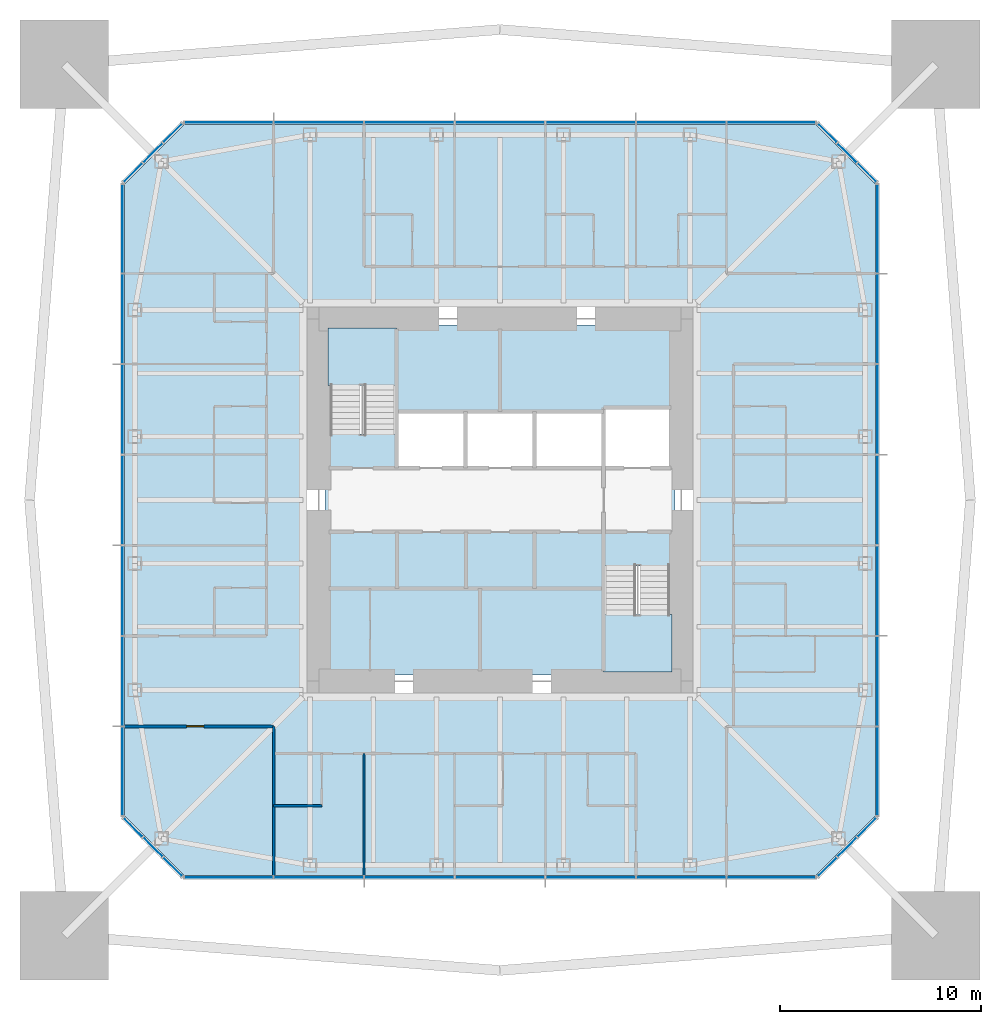
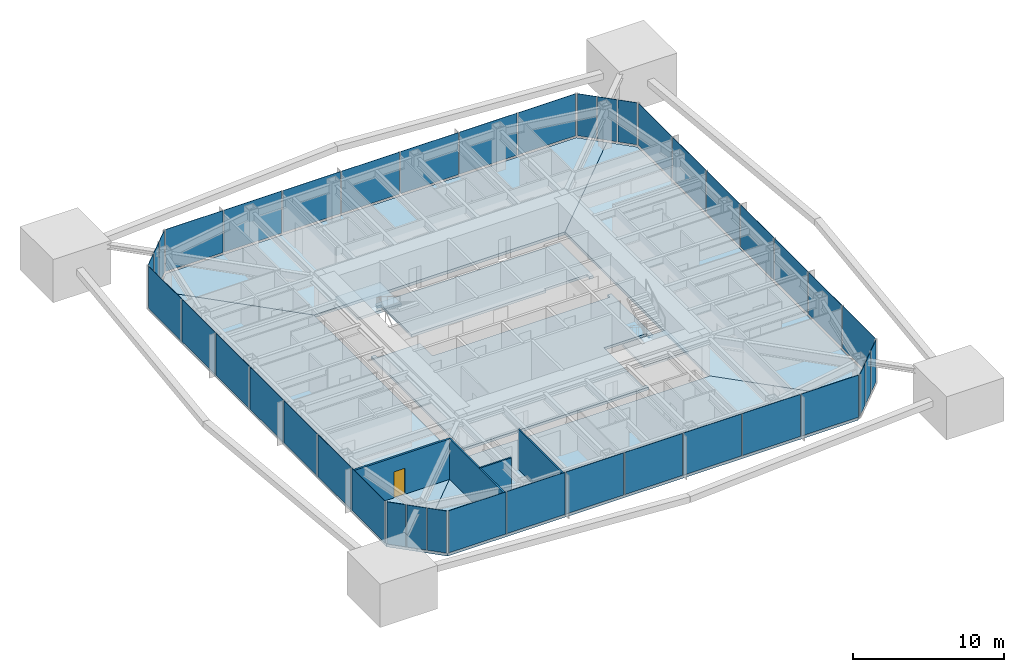
# One storey, part 7 of 13: 40 plates, 8 slabs, 4 walls, 1 door, 1 opening, 10 elements without a shape of their own.
"""IFC4 building model written with IfcOpenShell, lengths in metres."""

from ifc_helpers import new_model, si_unit, direction, frame, frame_2d, origin, origin_2d, place, context, subcontext, project, spatial, polyline, rectangle, outline, extrude, material, layer, layer_set, constituent, constituent_set, type_object, element, fill, aggregate, save


model = new_model("IFC4")

# Units and contexts
model_context = context("Model", 3, precision=1e-05, world=origin(), true_north=direction((0.0, 1.0)))
body_context = subcontext(model_context, "Body", "Model", "MODEL_VIEW")
ifc_project = project(units=[si_unit("LENGTHUNIT", "METRE"), si_unit("AREAUNIT", "SQUARE_METRE"), si_unit("VOLUMEUNIT", "CUBIC_METRE"), si_unit("PLANEANGLEUNIT", "RADIAN"), si_unit("MASSUNIT", "GRAM", prefix="KILO")], contexts=[model_context])

# Site, building, storey
site_placement = place(None, origin())
site = spatial("IfcSite", under=ifc_project, at=site_placement, CompositionType="ELEMENT")
building_placement = place(site_placement, origin())
building = spatial("IfcBuilding", under=site, at=building_placement, Name="Iwan Alto Co-Living Towers", CompositionType="ELEMENT")
storey_placement = place(building_placement, frame((0.0, 0.0, 160.0)))
storey = spatial("IfcBuildingStorey", under=building, at=storey_placement, Name="L43", CompositionType="ELEMENT", Elevation=160.0)

# Slabs
ifc_material_1 = material(Name="Concrete f'c 30 MPa", Category="concrete")
ifc_layer_1 = layer(ifc_material_1, 0.199951171875)
ifc_layer_set_1 = layer_set([ifc_layer_1], Name="CORE FLOOR SLAB 200")
slab_type_1 = type_object("IfcSlabType", Name="CORE FLOOR SLAB 200", PredefinedType="FLOOR", material=ifc_layer_set_1)
slab_1_placement = place(storey_placement, frame((0.0, 0.0, -0.199951171875)))
element("IfcSlab", 1, at=slab_1_placement, inside=storey, type_object=slab_type_1, Name="T1 core floor L43", PredefinedType="FLOOR", context=body_context, shape_type="SweptSolid", body=[
    extrude(outline(polyline([(5.14990234375, -8.39990234375), (5.4599609375, -8.39990234375), (5.4599609375, -8.699951171875), (-8.699951171875, -8.699951171875), (-8.699951171875, 3.580078125), (-8.39990234375, 3.580078125), (-8.39990234375, 3.27001953125), (-5.14990234375, 3.27001953125), (-5.14990234375, 1.60009765625), (-1.717041015625, 1.60009765625), (1.717041015625, 1.60009765625), (5.14990234375, 1.60009765625), (8.39990234375, 1.60009765625), (8.39990234375, 1.909912109375), (8.699951171875, 1.909912109375), (8.699951171875, -3.580078125), (8.39990234375, -3.580078125), (8.39990234375, -3.27001953125), (5.14990234375, -3.27001953125), (5.14990234375, -8.39990234375)])), origin(), (0.0, 0.0, 1.0), 0.199951171875),
])
slab_2_placement = place(storey_placement, frame((0.0, 0.0, -0.199951171875)))
element("IfcSlab", 2, at=slab_2_placement, inside=storey, type_object=slab_type_1, Name="T1 core floor L43", PredefinedType="FLOOR", context=body_context, shape_type="SweptSolid", body=[
    extrude(outline(polyline([(1.717041015625, 4.39990234375), (-1.717041015625, 4.39990234375), (-5.14990234375, 4.39990234375), (-5.14990234375, 8.39990234375), (-5.4599609375, 8.39990234375), (-5.4599609375, 8.699951171875), (8.699951171875, 8.699951171875), (8.699951171875, 4.2900390625), (8.39990234375, 4.2900390625), (8.39990234375, 4.60009765625), (5.14990234375, 4.60009765625), (5.14990234375, 4.39990234375), (1.717041015625, 4.39990234375)])), origin(), (0.0, 0.0, 1.0), 0.199951171875),
])

# Curtain wall, plates
ifc_material_2 = material(Name="Bronze aluminium unitised frame", Category="aluminium")
curtain_wall_type_1 = type_object("IfcCurtainWallType", Name="CURTAIN WALL CW-A", PredefinedType="NOTDEFINED", material=ifc_material_2)
curtain_wall_1_placement = place(storey_placement, origin())
curtain_wall_1 = element("IfcCurtainWall", 3, at=curtain_wall_1_placement, inside=storey, type_object=curtain_wall_type_1, Name="T1 curtain wall S L43", PredefinedType="NOTDEFINED")
ifc_material_3 = material(Name="Bronze-tinted insulating glass", Category="glass")
ifc_layer_2 = layer(ifc_material_3, 0.031982421875)
ifc_layer_set_2 = layer_set([ifc_layer_2], Name="CW-A PANEL TINTED IGU 32")
plate_type_1 = type_object("IfcPlateType", Name="CW-A PANEL TINTED IGU 32", PredefinedType="CURTAIN_PANEL", material=ifc_layer_set_2)
plate_1_placement = place(storey_placement, frame((-13.47998046875, -18.75, 0.10009765625), z_axis=(0.0, 0.0, 1.0), x_axis=(1.0, 0.0, 0.0)))
plate_1 = element("IfcPlate", 4, at=plate_1_placement, type_object=plate_type_1, Name="CW-A panel 1.1", PredefinedType="CURTAIN_PANEL", context=body_context, shape_type="SweptSolid", body=[
    extrude(rectangle(XDim=4.3798828125, YDim=0.031982421875, at=origin_2d()), origin(), (0.0, 0.0, 1.0), 3.39990234375),
])
plate_2_placement = place(storey_placement, frame((-9.0, -18.75, 0.10009765625), z_axis=(0.0, 0.0, 1.0), x_axis=(1.0, 0.0, 0.0)))
plate_2 = element("IfcPlate", 5, at=plate_2_placement, type_object=plate_type_1, Name="CW-A panel 2.1", PredefinedType="CURTAIN_PANEL", context=body_context, shape_type="SweptSolid", body=[
    extrude(rectangle(XDim=4.419921875, YDim=0.031982421875, at=origin_2d()), origin(), (0.0, 0.0, 1.0), 3.39990234375),
])
plate_3_placement = place(storey_placement, frame((-4.5, -18.75, 0.10009765625), z_axis=(0.0, 0.0, 1.0), x_axis=(1.0, 0.0, 0.0)))
plate_3 = element("IfcPlate", 6, at=plate_3_placement, type_object=plate_type_1, Name="CW-A panel 3.1", PredefinedType="CURTAIN_PANEL", context=body_context, shape_type="SweptSolid", body=[
    extrude(rectangle(XDim=4.419921875, YDim=0.031982421875, at=origin_2d()), origin(), (0.0, 0.0, 1.0), 3.39990234375),
])
plate_4_placement = place(storey_placement, frame((0.0, -18.75, 0.10009765625), z_axis=(0.0, 0.0, 1.0), x_axis=(1.0, 0.0, 0.0)))
plate_4 = element("IfcPlate", 7, at=plate_4_placement, type_object=plate_type_1, Name="CW-A panel 4.1", PredefinedType="CURTAIN_PANEL", context=body_context, shape_type="SweptSolid", body=[
    extrude(rectangle(XDim=4.419921875, YDim=0.031982421875, at=origin_2d()), origin(), (0.0, 0.0, 1.0), 3.39990234375),
])
plate_5_placement = place(storey_placement, frame((4.5, -18.75, 0.10009765625), z_axis=(0.0, 0.0, 1.0), x_axis=(1.0, 0.0, 0.0)))
plate_5 = element("IfcPlate", 8, at=plate_5_placement, type_object=plate_type_1, Name="CW-A panel 5.1", PredefinedType="CURTAIN_PANEL", context=body_context, shape_type="SweptSolid", body=[
    extrude(rectangle(XDim=4.419921875, YDim=0.031982421875, at=origin_2d()), origin(), (0.0, 0.0, 1.0), 3.39990234375),
])
plate_6_placement = place(storey_placement, frame((9.0, -18.75, 0.10009765625), z_axis=(0.0, 0.0, 1.0), x_axis=(1.0, 0.0, 0.0)))
plate_6 = element("IfcPlate", 9, at=plate_6_placement, type_object=plate_type_1, Name="CW-A panel 6.1", PredefinedType="CURTAIN_PANEL", context=body_context, shape_type="SweptSolid", body=[
    extrude(rectangle(XDim=4.419921875, YDim=0.031982421875, at=origin_2d()), origin(), (0.0, 0.0, 1.0), 3.39990234375),
])
plate_7_placement = place(storey_placement, frame((13.47998046875, -18.75, 0.10009765625), z_axis=(0.0, 0.0, 1.0), x_axis=(1.0, 0.0, 0.0)))
plate_7 = element("IfcPlate", 10, at=plate_7_placement, type_object=plate_type_1, Name="CW-A panel 7.1", PredefinedType="CURTAIN_PANEL", context=body_context, shape_type="SweptSolid", body=[
    extrude(rectangle(XDim=4.3798828125, YDim=0.031982421875, at=origin_2d()), origin(), (0.0, 0.0, 1.0), 3.39990234375),
])
aggregate(curtain_wall_1, [plate_1, plate_2, plate_3, plate_4, plate_5, plate_6, plate_7])

curtain_wall_2_placement = place(storey_placement, origin())
curtain_wall_2 = element("IfcCurtainWall", 11, at=curtain_wall_2_placement, inside=storey, type_object=curtain_wall_type_1, Name="T1 curtain wall E L43", PredefinedType="NOTDEFINED")
plate_8_placement = place(storey_placement, frame((18.75, -13.47998046875, 0.10009765625), z_axis=(0.0, 0.0, 1.0), x_axis=(0.0, 1.0, 0.0)))
plate_8 = element("IfcPlate", 12, at=plate_8_placement, type_object=plate_type_1, Name="CW-A panel 1.1", PredefinedType="CURTAIN_PANEL", context=body_context, shape_type="SweptSolid", body=[
    extrude(rectangle(XDim=4.3798828125, YDim=0.031982421875, at=origin_2d()), origin(), (0.0, 0.0, 1.0), 3.39990234375),
])
plate_9_placement = place(storey_placement, frame((18.75, -9.0, 0.10009765625), z_axis=(0.0, 0.0, 1.0), x_axis=(0.0, 1.0, 0.0)))
plate_9 = element("IfcPlate", 13, at=plate_9_placement, type_object=plate_type_1, Name="CW-A panel 2.1", PredefinedType="CURTAIN_PANEL", context=body_context, shape_type="SweptSolid", body=[
    extrude(rectangle(XDim=4.419921875, YDim=0.031982421875, at=origin_2d()), origin(), (0.0, 0.0, 1.0), 3.39990234375),
])
plate_10_placement = place(storey_placement, frame((18.75, -4.5, 0.10009765625), z_axis=(0.0, 0.0, 1.0), x_axis=(0.0, 1.0, 0.0)))
plate_10 = element("IfcPlate", 14, at=plate_10_placement, type_object=plate_type_1, Name="CW-A panel 3.1", PredefinedType="CURTAIN_PANEL", context=body_context, shape_type="SweptSolid", body=[
    extrude(rectangle(XDim=4.419921875, YDim=0.031982421875, at=origin_2d()), origin(), (0.0, 0.0, 1.0), 3.39990234375),
])
plate_11_placement = place(storey_placement, frame((18.75, 0.0, 0.10009765625), z_axis=(0.0, 0.0, 1.0), x_axis=(0.0, 1.0, 0.0)))
plate_11 = element("IfcPlate", 15, at=plate_11_placement, type_object=plate_type_1, Name="CW-A panel 4.1", PredefinedType="CURTAIN_PANEL", context=body_context, shape_type="SweptSolid", body=[
    extrude(rectangle(XDim=4.419921875, YDim=0.031982421875, at=origin_2d()), origin(), (0.0, 0.0, 1.0), 3.39990234375),
])
plate_12_placement = place(storey_placement, frame((18.75, 4.5, 0.10009765625), z_axis=(0.0, 0.0, 1.0), x_axis=(0.0, 1.0, 0.0)))
plate_12 = element("IfcPlate", 16, at=plate_12_placement, type_object=plate_type_1, Name="CW-A panel 5.1", PredefinedType="CURTAIN_PANEL", context=body_context, shape_type="SweptSolid", body=[
    extrude(rectangle(XDim=4.419921875, YDim=0.031982421875, at=origin_2d()), origin(), (0.0, 0.0, 1.0), 3.39990234375),
])
plate_13_placement = place(storey_placement, frame((18.75, 9.0, 0.10009765625), z_axis=(0.0, 0.0, 1.0), x_axis=(0.0, 1.0, 0.0)))
plate_13 = element("IfcPlate", 17, at=plate_13_placement, type_object=plate_type_1, Name="CW-A panel 6.1", PredefinedType="CURTAIN_PANEL", context=body_context, shape_type="SweptSolid", body=[
    extrude(rectangle(XDim=4.419921875, YDim=0.031982421875, at=origin_2d()), origin(), (0.0, 0.0, 1.0), 3.39990234375),
])
plate_14_placement = place(storey_placement, frame((18.75, 13.47998046875, 0.10009765625), z_axis=(0.0, 0.0, 1.0), x_axis=(0.0, 1.0, 0.0)))
plate_14 = element("IfcPlate", 18, at=plate_14_placement, type_object=plate_type_1, Name="CW-A panel 7.1", PredefinedType="CURTAIN_PANEL", context=body_context, shape_type="SweptSolid", body=[
    extrude(rectangle(XDim=4.3798828125, YDim=0.031982421875, at=origin_2d()), origin(), (0.0, 0.0, 1.0), 3.39990234375),
])
aggregate(curtain_wall_2, [plate_8, plate_9, plate_10, plate_11, plate_12, plate_13, plate_14])

curtain_wall_3_placement = place(storey_placement, origin())
curtain_wall_3 = element("IfcCurtainWall", 19, at=curtain_wall_3_placement, inside=storey, type_object=curtain_wall_type_1, Name="T1 curtain wall N L43", PredefinedType="NOTDEFINED")
plate_15_placement = place(storey_placement, frame((13.47998046875, 18.75, 0.10009765625), z_axis=(0.0, 0.0, 1.0), x_axis=(-1.0, 0.0, 0.0)))
plate_15 = element("IfcPlate", 20, at=plate_15_placement, type_object=plate_type_1, Name="CW-A panel 1.1", PredefinedType="CURTAIN_PANEL", context=body_context, shape_type="SweptSolid", body=[
    extrude(rectangle(XDim=4.3798828125, YDim=0.031982421875, at=origin_2d()), origin(), (0.0, 0.0, 1.0), 3.39990234375),
])
plate_16_placement = place(storey_placement, frame((9.0, 18.75, 0.10009765625), z_axis=(0.0, 0.0, 1.0), x_axis=(-1.0, 0.0, 0.0)))
plate_16 = element("IfcPlate", 21, at=plate_16_placement, type_object=plate_type_1, Name="CW-A panel 2.1", PredefinedType="CURTAIN_PANEL", context=body_context, shape_type="SweptSolid", body=[
    extrude(rectangle(XDim=4.419921875, YDim=0.031982421875, at=origin_2d()), origin(), (0.0, 0.0, 1.0), 3.39990234375),
])
plate_17_placement = place(storey_placement, frame((4.5, 18.75, 0.10009765625), z_axis=(0.0, 0.0, 1.0), x_axis=(-1.0, 0.0, 0.0)))
plate_17 = element("IfcPlate", 22, at=plate_17_placement, type_object=plate_type_1, Name="CW-A panel 3.1", PredefinedType="CURTAIN_PANEL", context=body_context, shape_type="SweptSolid", body=[
    extrude(rectangle(XDim=4.419921875, YDim=0.031982421875, at=origin_2d()), origin(), (0.0, 0.0, 1.0), 3.39990234375),
])
plate_18_placement = place(storey_placement, frame((0.0, 18.75, 0.10009765625), z_axis=(0.0, 0.0, 1.0), x_axis=(-1.0, 0.0, 0.0)))
plate_18 = element("IfcPlate", 23, at=plate_18_placement, type_object=plate_type_1, Name="CW-A panel 4.1", PredefinedType="CURTAIN_PANEL", context=body_context, shape_type="SweptSolid", body=[
    extrude(rectangle(XDim=4.419921875, YDim=0.031982421875, at=origin_2d()), origin(), (0.0, 0.0, 1.0), 3.39990234375),
])
plate_19_placement = place(storey_placement, frame((-4.5, 18.75, 0.10009765625), z_axis=(0.0, 0.0, 1.0), x_axis=(-1.0, 0.0, 0.0)))
plate_19 = element("IfcPlate", 24, at=plate_19_placement, type_object=plate_type_1, Name="CW-A panel 5.1", PredefinedType="CURTAIN_PANEL", context=body_context, shape_type="SweptSolid", body=[
    extrude(rectangle(XDim=4.419921875, YDim=0.031982421875, at=origin_2d()), origin(), (0.0, 0.0, 1.0), 3.39990234375),
])
plate_20_placement = place(storey_placement, frame((-9.0, 18.75, 0.10009765625), z_axis=(0.0, 0.0, 1.0), x_axis=(-1.0, 0.0, 0.0)))
plate_20 = element("IfcPlate", 25, at=plate_20_placement, type_object=plate_type_1, Name="CW-A panel 6.1", PredefinedType="CURTAIN_PANEL", context=body_context, shape_type="SweptSolid", body=[
    extrude(rectangle(XDim=4.419921875, YDim=0.031982421875, at=origin_2d()), origin(), (0.0, 0.0, 1.0), 3.39990234375),
])
plate_21_placement = place(storey_placement, frame((-13.47998046875, 18.75, 0.10009765625), z_axis=(0.0, 0.0, 1.0), x_axis=(-1.0, 0.0, 0.0)))
plate_21 = element("IfcPlate", 26, at=plate_21_placement, type_object=plate_type_1, Name="CW-A panel 7.1", PredefinedType="CURTAIN_PANEL", context=body_context, shape_type="SweptSolid", body=[
    extrude(rectangle(XDim=4.3798828125, YDim=0.031982421875, at=origin_2d()), origin(), (0.0, 0.0, 1.0), 3.39990234375),
])
aggregate(curtain_wall_3, [plate_15, plate_16, plate_17, plate_18, plate_19, plate_20, plate_21])

curtain_wall_4_placement = place(storey_placement, origin())
curtain_wall_4 = element("IfcCurtainWall", 27, at=curtain_wall_4_placement, inside=storey, type_object=curtain_wall_type_1, Name="T1 curtain wall W L43", PredefinedType="NOTDEFINED")
plate_22_placement = place(storey_placement, frame((-18.75, 13.47998046875, 0.10009765625), z_axis=(0.0, 0.0, 1.0), x_axis=(0.0, -1.0, 0.0)))
plate_22 = element("IfcPlate", 28, at=plate_22_placement, type_object=plate_type_1, Name="CW-A panel 1.1", PredefinedType="CURTAIN_PANEL", context=body_context, shape_type="SweptSolid", body=[
    extrude(rectangle(XDim=4.3798828125, YDim=0.031982421875, at=origin_2d()), origin(), (0.0, 0.0, 1.0), 3.39990234375),
])
plate_23_placement = place(storey_placement, frame((-18.75, 9.0, 0.10009765625), z_axis=(0.0, 0.0, 1.0), x_axis=(0.0, -1.0, 0.0)))
plate_23 = element("IfcPlate", 29, at=plate_23_placement, type_object=plate_type_1, Name="CW-A panel 2.1", PredefinedType="CURTAIN_PANEL", context=body_context, shape_type="SweptSolid", body=[
    extrude(rectangle(XDim=4.419921875, YDim=0.031982421875, at=origin_2d()), origin(), (0.0, 0.0, 1.0), 3.39990234375),
])
plate_24_placement = place(storey_placement, frame((-18.75, 4.5, 0.10009765625), z_axis=(0.0, 0.0, 1.0), x_axis=(0.0, -1.0, 0.0)))
plate_24 = element("IfcPlate", 30, at=plate_24_placement, type_object=plate_type_1, Name="CW-A panel 3.1", PredefinedType="CURTAIN_PANEL", context=body_context, shape_type="SweptSolid", body=[
    extrude(rectangle(XDim=4.419921875, YDim=0.031982421875, at=origin_2d()), origin(), (0.0, 0.0, 1.0), 3.39990234375),
])
plate_25_placement = place(storey_placement, frame((-18.75, 0.0, 0.10009765625), z_axis=(0.0, 0.0, 1.0), x_axis=(0.0, -1.0, 0.0)))
plate_25 = element("IfcPlate", 31, at=plate_25_placement, type_object=plate_type_1, Name="CW-A panel 4.1", PredefinedType="CURTAIN_PANEL", context=body_context, shape_type="SweptSolid", body=[
    extrude(rectangle(XDim=4.419921875, YDim=0.031982421875, at=origin_2d()), origin(), (0.0, 0.0, 1.0), 3.39990234375),
])
plate_26_placement = place(storey_placement, frame((-18.75, -4.5, 0.10009765625), z_axis=(0.0, 0.0, 1.0), x_axis=(0.0, -1.0, 0.0)))
plate_26 = element("IfcPlate", 32, at=plate_26_placement, type_object=plate_type_1, Name="CW-A panel 5.1", PredefinedType="CURTAIN_PANEL", context=body_context, shape_type="SweptSolid", body=[
    extrude(rectangle(XDim=4.419921875, YDim=0.031982421875, at=origin_2d()), origin(), (0.0, 0.0, 1.0), 3.39990234375),
])
plate_27_placement = place(storey_placement, frame((-18.75, -9.0, 0.10009765625), z_axis=(0.0, 0.0, 1.0), x_axis=(0.0, -1.0, 0.0)))
plate_27 = element("IfcPlate", 33, at=plate_27_placement, type_object=plate_type_1, Name="CW-A panel 6.1", PredefinedType="CURTAIN_PANEL", context=body_context, shape_type="SweptSolid", body=[
    extrude(rectangle(XDim=4.419921875, YDim=0.031982421875, at=origin_2d()), origin(), (0.0, 0.0, 1.0), 3.39990234375),
])
plate_28_placement = place(storey_placement, frame((-18.75, -13.47998046875, 0.10009765625), z_axis=(0.0, 0.0, 1.0), x_axis=(0.0, -1.0, 0.0)))
plate_28 = element("IfcPlate", 34, at=plate_28_placement, type_object=plate_type_1, Name="CW-A panel 7.1", PredefinedType="CURTAIN_PANEL", context=body_context, shape_type="SweptSolid", body=[
    extrude(rectangle(XDim=4.3798828125, YDim=0.031982421875, at=origin_2d()), origin(), (0.0, 0.0, 1.0), 3.39990234375),
])
aggregate(curtain_wall_4, [plate_22, plate_23, plate_24, plate_25, plate_26, plate_27, plate_28])

ifc_material_4 = material(Name="Bronze aluminium unitised frame", Category="aluminium")
curtain_wall_type_2 = type_object("IfcCurtainWallType", Name="CURTAIN WALL CW-B", PredefinedType="NOTDEFINED", material=ifc_material_4)
curtain_wall_5_placement = place(storey_placement, origin())
curtain_wall_5 = element("IfcCurtainWall", 35, at=curtain_wall_5_placement, inside=storey, type_object=curtain_wall_type_2, Name="T1 chamfer curtain wall SE L43", PredefinedType="NOTDEFINED")
ifc_material_5 = material(Name="Bronze-tinted insulating glass", Category="glass")
ifc_layer_3 = layer(ifc_material_5, 0.031982421875)
ifc_layer_set_3 = layer_set([ifc_layer_3], Name="CW-B PANEL TINTED IGU 32")
plate_type_2 = type_object("IfcPlateType", Name="CW-B PANEL TINTED IGU 32", PredefinedType="CURTAIN_PANEL", material=ifc_layer_set_3)
plate_29_placement = place(storey_placement, frame((16.26416015625, -18.23583984375, 0.10009765625), z_axis=(0.0, 0.0, 1.0), x_axis=(0.707106781187, 0.707106781187, 0.0)))
plate_29 = element("IfcPlate", 36, at=plate_29_placement, type_object=plate_type_2, Name="CW-B panel 1.1", PredefinedType="CURTAIN_PANEL", context=body_context, shape_type="SweptSolid", body=[
    extrude(rectangle(XDim=1.294189453125, YDim=0.031982421875, at=origin_2d()), origin(), (0.0, 0.0, 1.0), 3.39990234375),
])
plate_30_placement = place(storey_placement, frame((17.25, -17.25, 0.10009765625), z_axis=(0.0, 0.0, 1.0), x_axis=(0.707106781187, 0.707106781187, 0.0)))
plate_30 = element("IfcPlate", 37, at=plate_30_placement, type_object=plate_type_2, Name="CW-B panel 2.1", PredefinedType="CURTAIN_PANEL", context=body_context, shape_type="SweptSolid", body=[
    extrude(rectangle(XDim=1.334228515625, YDim=0.031982421875, at=origin_2d()), origin(), (0.0, 0.0, 1.0), 3.39990234375),
])
plate_31_placement = place(storey_placement, frame((18.23583984375, -16.26416015625, 0.10009765625), z_axis=(0.0, 0.0, 1.0), x_axis=(0.707106781187, 0.707106781187, 0.0)))
plate_31 = element("IfcPlate", 38, at=plate_31_placement, type_object=plate_type_2, Name="CW-B panel 3.1", PredefinedType="CURTAIN_PANEL", context=body_context, shape_type="SweptSolid", body=[
    extrude(rectangle(XDim=1.294189453125, YDim=0.031982421875, at=origin_2d()), origin(), (0.0, 0.0, 1.0), 3.39990234375),
])
aggregate(curtain_wall_5, [plate_29, plate_30, plate_31])

curtain_wall_6_placement = place(storey_placement, origin())
curtain_wall_6 = element("IfcCurtainWall", 39, at=curtain_wall_6_placement, inside=storey, type_object=curtain_wall_type_2, Name="T1 chamfer curtain wall NE L43", PredefinedType="NOTDEFINED")
plate_32_placement = place(storey_placement, frame((18.23583984375, 16.26416015625, 0.10009765625), z_axis=(0.0, 0.0, 1.0), x_axis=(-0.707106781187, 0.707106781187, 0.0)))
plate_32 = element("IfcPlate", 40, at=plate_32_placement, type_object=plate_type_2, Name="CW-B panel 1.1", PredefinedType="CURTAIN_PANEL", context=body_context, shape_type="SweptSolid", body=[
    extrude(rectangle(XDim=1.294189453125, YDim=0.031982421875, at=origin_2d()), origin(), (0.0, 0.0, 1.0), 3.39990234375),
])
plate_33_placement = place(storey_placement, frame((17.25, 17.25, 0.10009765625), z_axis=(0.0, 0.0, 1.0), x_axis=(-0.707106781187, 0.707106781187, 0.0)))
plate_33 = element("IfcPlate", 41, at=plate_33_placement, type_object=plate_type_2, Name="CW-B panel 2.1", PredefinedType="CURTAIN_PANEL", context=body_context, shape_type="SweptSolid", body=[
    extrude(rectangle(XDim=1.334228515625, YDim=0.031982421875, at=origin_2d()), origin(), (0.0, 0.0, 1.0), 3.39990234375),
])
plate_34_placement = place(storey_placement, frame((16.26416015625, 18.23583984375, 0.10009765625), z_axis=(0.0, 0.0, 1.0), x_axis=(-0.707106781187, 0.707106781187, 0.0)))
plate_34 = element("IfcPlate", 42, at=plate_34_placement, type_object=plate_type_2, Name="CW-B panel 3.1", PredefinedType="CURTAIN_PANEL", context=body_context, shape_type="SweptSolid", body=[
    extrude(rectangle(XDim=1.294189453125, YDim=0.031982421875, at=origin_2d()), origin(), (0.0, 0.0, 1.0), 3.39990234375),
])
aggregate(curtain_wall_6, [plate_32, plate_33, plate_34])

curtain_wall_7_placement = place(storey_placement, origin())
curtain_wall_7 = element("IfcCurtainWall", 43, at=curtain_wall_7_placement, inside=storey, type_object=curtain_wall_type_2, Name="T1 chamfer curtain wall NW L43", PredefinedType="NOTDEFINED")
plate_35_placement = place(storey_placement, frame((-16.26416015625, 18.23583984375, 0.10009765625), z_axis=(0.0, 0.0, 1.0), x_axis=(-0.707106781187, -0.707106781187, 0.0)))
plate_35 = element("IfcPlate", 44, at=plate_35_placement, type_object=plate_type_2, Name="CW-B panel 1.1", PredefinedType="CURTAIN_PANEL", context=body_context, shape_type="SweptSolid", body=[
    extrude(rectangle(XDim=1.294189453125, YDim=0.031982421875, at=origin_2d()), origin(), (0.0, 0.0, 1.0), 3.39990234375),
])
plate_36_placement = place(storey_placement, frame((-17.25, 17.25, 0.10009765625), z_axis=(0.0, 0.0, 1.0), x_axis=(-0.707106781187, -0.707106781187, 0.0)))
plate_36 = element("IfcPlate", 45, at=plate_36_placement, type_object=plate_type_2, Name="CW-B panel 2.1", PredefinedType="CURTAIN_PANEL", context=body_context, shape_type="SweptSolid", body=[
    extrude(rectangle(XDim=1.334228515625, YDim=0.031982421875, at=origin_2d()), origin(), (0.0, 0.0, 1.0), 3.39990234375),
])
plate_37_placement = place(storey_placement, frame((-18.23583984375, 16.26416015625, 0.10009765625), z_axis=(0.0, 0.0, 1.0), x_axis=(-0.707106781187, -0.707106781187, 0.0)))
plate_37 = element("IfcPlate", 46, at=plate_37_placement, type_object=plate_type_2, Name="CW-B panel 3.1", PredefinedType="CURTAIN_PANEL", context=body_context, shape_type="SweptSolid", body=[
    extrude(rectangle(XDim=1.294189453125, YDim=0.031982421875, at=origin_2d()), origin(), (0.0, 0.0, 1.0), 3.39990234375),
])
aggregate(curtain_wall_7, [plate_35, plate_36, plate_37])

curtain_wall_8_placement = place(storey_placement, origin())
curtain_wall_8 = element("IfcCurtainWall", 47, at=curtain_wall_8_placement, inside=storey, type_object=curtain_wall_type_2, Name="T1 chamfer curtain wall SW L43", PredefinedType="NOTDEFINED")
plate_38_placement = place(storey_placement, frame((-18.23583984375, -16.26416015625, 0.10009765625), z_axis=(0.0, 0.0, 1.0), x_axis=(0.707106781187, -0.707106781187, 0.0)))
plate_38 = element("IfcPlate", 48, at=plate_38_placement, type_object=plate_type_2, Name="CW-B panel 1.1", PredefinedType="CURTAIN_PANEL", context=body_context, shape_type="SweptSolid", body=[
    extrude(rectangle(XDim=1.294189453125, YDim=0.031982421875, at=origin_2d()), origin(), (0.0, 0.0, 1.0), 3.39990234375),
])
plate_39_placement = place(storey_placement, frame((-17.25, -17.25, 0.10009765625), z_axis=(0.0, 0.0, 1.0), x_axis=(0.707106781187, -0.707106781187, 0.0)))
plate_39 = element("IfcPlate", 49, at=plate_39_placement, type_object=plate_type_2, Name="CW-B panel 2.1", PredefinedType="CURTAIN_PANEL", context=body_context, shape_type="SweptSolid", body=[
    extrude(rectangle(XDim=1.334228515625, YDim=0.031982421875, at=origin_2d()), origin(), (0.0, 0.0, 1.0), 3.39990234375),
])
plate_40_placement = place(storey_placement, frame((-16.26416015625, -18.23583984375, 0.10009765625), z_axis=(0.0, 0.0, 1.0), x_axis=(0.707106781187, -0.707106781187, 0.0)))
plate_40 = element("IfcPlate", 50, at=plate_40_placement, type_object=plate_type_2, Name="CW-B panel 3.1", PredefinedType="CURTAIN_PANEL", context=body_context, shape_type="SweptSolid", body=[
    extrude(rectangle(XDim=1.294189453125, YDim=0.031982421875, at=origin_2d()), origin(), (0.0, 0.0, 1.0), 3.39990234375),
])
aggregate(curtain_wall_8, [plate_38, plate_39, plate_40])

# Stair, slab
ifc_material_6 = material(Name="Steel ASTM A36", Category="steel")
ifc_constituent_1 = constituent(ifc_material_6, Name="Stringers", Category="LoadBearing")
ifc_material_7 = material(Name="Concrete f'c 30 MPa", Category="concrete")
ifc_constituent_2 = constituent(ifc_material_7, Name="Tread fill", Category="Finish")
ifc_constituent_set = constituent_set(constituents=[ifc_constituent_1, ifc_constituent_2], Name="STAIR 3500 TWO-FLIGHT T1 CORE")
stair_type = type_object("IfcStairType", Name="STAIR 3500 TWO-FLIGHT T1 CORE", PredefinedType="HALF_TURN_STAIR", material=ifc_constituent_set)
stair_1_placement = place(storey_placement, origin())
stair_1 = element("IfcStair", 51, at=stair_1_placement, inside=storey, type_object=stair_type, Name="Stair T1-S1 L43 to L44", PredefinedType="HALF_TURN_STAIR")
ifc_material_8 = material(Name="Concrete f'c 30 MPa", Category="concrete")
ifc_layer_4 = layer(ifc_material_8, 0.199951171875)
ifc_layer_set_4 = layer_set([ifc_layer_4], Name="STAIR LANDING 200")
slab_type_2 = type_object("IfcSlabType", Name="STAIR LANDING 200", PredefinedType="LANDING", material=ifc_layer_set_4)
slab_3_placement = place(storey_placement, frame((0.0, 0.0, 1.550048828125)))
slab_3 = element("IfcSlab", 52, at=slab_3_placement, type_object=slab_type_2, Name="T1-S1 landing 1", PredefinedType="LANDING", context=body_context, shape_type="SweptSolid", body=[
    extrude(outline(polyline([(-8.550048828125, 5.68994140625), (-8.550048828125, 8.550048828125), (-5.14990234375, 8.550048828125), (-5.14990234375, 5.68994140625), (-8.550048828125, 5.68994140625)])), origin(), (0.0, 0.0, 1.0), 0.199951171875),
])
aggregate(stair_1, [slab_3])

stair_2_placement = place(storey_placement, origin())
stair_2 = element("IfcStair", 53, at=stair_2_placement, inside=storey, type_object=stair_type, Name="Stair T1-S2 L43 to L44", PredefinedType="HALF_TURN_STAIR")
slab_4_placement = place(storey_placement, frame((0.0, 0.0, 1.550048828125)))
slab_4 = element("IfcSlab", 54, at=slab_4_placement, type_object=slab_type_2, Name="T1-S2 landing 1", PredefinedType="LANDING", context=body_context, shape_type="SweptSolid", body=[
    extrude(outline(polyline([(5.14990234375, -5.68994140625), (5.14990234375, -8.550048828125), (8.550048828125, -8.550048828125), (8.550048828125, -5.68994140625), (5.14990234375, -5.68994140625)])), origin(), (0.0, 0.0, 1.0), 0.199951171875),
])
aggregate(stair_2, [slab_4])

# Slabs
ifc_material_9 = material(Name="Concrete f'c 30 MPa", Category="concrete")
ifc_layer_5 = layer(ifc_material_9, 0.22998046875)
ifc_layer_set_5 = layer_set([ifc_layer_5], Name="T1 FLOOR SLAB 230")
slab_type_3 = type_object("IfcSlabType", Name="T1 FLOOR SLAB 230", PredefinedType="FLOOR", material=ifc_layer_set_5)
slab_5_placement = place(storey_placement, frame((0.0, 0.0, -0.22998046875)))
element("IfcSlab", 55, at=slab_5_placement, inside=storey, type_object=slab_type_3, Name="T1 floor slab L43 S pour", PredefinedType="FLOOR", context=body_context, shape_type="SweptSolid", body=[
    extrude(outline(polyline([(15.69140625, -18.64990234375), (-15.69140625, -18.64990234375), (-17.170654296875, -17.170654296875), (-9.60009765625, -9.60009765625), (9.60009765625, -9.60009765625), (17.170654296875, -17.170654296875), (15.69140625, -18.64990234375)])), origin(), (0.0, 0.0, 1.0), 0.22998046875),
])
slab_6_placement = place(storey_placement, frame((0.0, 0.0, -0.22998046875)))
element("IfcSlab", 56, at=slab_6_placement, inside=storey, type_object=slab_type_3, Name="T1 floor slab L43 E pour", PredefinedType="FLOOR", context=body_context, shape_type="SweptSolid", body=[
    extrude(outline(polyline([(18.64990234375, 15.69140625), (18.64990234375, -15.69140625), (17.170654296875, -17.170654296875), (9.60009765625, -9.60009765625), (9.60009765625, 9.60009765625), (17.170654296875, 17.170654296875), (18.64990234375, 15.69140625)])), origin(), (0.0, 0.0, 1.0), 0.22998046875),
])
slab_7_placement = place(storey_placement, frame((0.0, 0.0, -0.22998046875)))
element("IfcSlab", 57, at=slab_7_placement, inside=storey, type_object=slab_type_3, Name="T1 floor slab L43 N pour", PredefinedType="FLOOR", context=body_context, shape_type="SweptSolid", body=[
    extrude(outline(polyline([(-15.69140625, 18.64990234375), (15.69140625, 18.64990234375), (17.170654296875, 17.170654296875), (9.60009765625, 9.60009765625), (-9.60009765625, 9.60009765625), (-17.170654296875, 17.170654296875), (-15.69140625, 18.64990234375)])), origin(), (0.0, 0.0, 1.0), 0.22998046875),
])
slab_8_placement = place(storey_placement, frame((0.0, 0.0, -0.22998046875)))
element("IfcSlab", 58, at=slab_8_placement, inside=storey, type_object=slab_type_3, Name="T1 floor slab L43 W pour", PredefinedType="FLOOR", context=body_context, shape_type="SweptSolid", body=[
    extrude(outline(polyline([(-18.64990234375, 15.69140625), (-17.170654296875, 17.170654296875), (-9.60009765625, 9.60009765625), (-9.60009765625, -9.60009765625), (-17.170654296875, -17.170654296875), (-18.64990234375, -15.69140625), (-18.64990234375, 15.69140625)])), origin(), (0.0, 0.0, 1.0), 0.22998046875),
])

# Wall, opening, door
ifc_material_10 = material(Name="Gypsum board")
ifc_layer_6 = layer(ifc_material_10, 0.02490234375, Name="Board", Category="Finish")
ifc_material_11 = material(Name="Steel ASTM A1003 ST33H cold-formed studs", Category="steel")
ifc_layer_7 = layer(ifc_material_11, 0.10009765625, Name="Studs", Category="Framing")
ifc_layer_8 = layer(ifc_material_10, 0.02490234375, Name="Board", Category="Finish")
ifc_layer_set_6 = layer_set([ifc_layer_6, ifc_layer_7, ifc_layer_8], Name="CORRIDOR WALL 150")
wall_type_1 = type_object("IfcWallType", Name="CORRIDOR WALL 150", PredefinedType="PARTITIONING", material=ifc_layer_set_6)
wall_1_placement = place(storey_placement, frame((-18.68994140625, -11.25, 0.0), z_axis=(0.0, 0.0, 1.0), x_axis=(1.0, 0.0, 0.0)))
wall_1 = element("IfcWall", 59, at=wall_1_placement, inside=storey, type_object=wall_type_1, Name="Partition L43", PredefinedType="PARTITIONING", context=body_context, shape_type="SweptSolid", body=[
    extrude(rectangle(XDim=7.43994140625, YDim=0.14990234375, at=frame_2d((3.719970703125, 0.0))), origin(), (0.0, 0.0, 1.0), 3.27001953125),
])
opening_placement = place(wall_1_placement, frame((3.1201171875, 0.0, 0.0)))
opening = element("IfcOpeningElement", 60, at=opening_placement, cuts=wall_1, Name="Opening D2", PredefinedType="OPENING", context=body_context, shape_type="SweptSolid", body=[
    extrude(rectangle(XDim=0.85009765625, YDim=2.10009765625, at=frame_2d((0.425048828125, 1.050048828125))), frame((0.0, 0.0849609375, 0.0), z_axis=(0.0, -1.0, 0.0), x_axis=(1.0, 0.0, 0.0)), (0.0, 0.0, 1.0), 0.169921875),
])
ifc_material_12 = material(Name="Timber leaf in steel frame", Category="steel")
door_type = type_object("IfcDoorType", Name="ROOM DOOR 850X2100", OperationType="SINGLE_SWING_LEFT", PredefinedType="DOOR", material=ifc_material_12)
door_placement = place(opening_placement, frame((0.85009765625, 0.0, 0.0), z_axis=(0.0, 0.0, 1.0), x_axis=(-1.0, 0.0, 0.0)))
door = element("IfcDoor", 61, at=door_placement, inside=storey, type_object=door_type, Name="Shared kitchen and lounge door L43", OperationType="SINGLE_SWING_RIGHT", OverallHeight=2.10009765625, OverallWidth=0.85009765625, PredefinedType="DOOR", context=body_context, shape_type="SweptSolid", body=[
    extrude(rectangle(XDim=0.85009765625, YDim=2.10009765625, at=frame_2d((0.425048828125, 1.050048828125))), frame((0.0, 0.02490234375, 0.0), z_axis=(0.0, -1.0, 0.0), x_axis=(1.0, 0.0, 0.0)), (0.0, 0.0, 1.0), 0.050048828125),
])
fill(opening, door)

# Walls
ifc_layer_9 = layer(ifc_material_10, 0.012451171875, Name="Board", Category="Finish")
ifc_layer_10 = layer(ifc_material_11, 0.074951171875, Name="Studs", Category="Framing")
ifc_layer_11 = layer(ifc_material_10, 0.012451171875, Name="Board", Category="Finish")
ifc_layer_set_7 = layer_set([ifc_layer_9, ifc_layer_10, ifc_layer_11], Name="PARTITION 100")
wall_type_2 = type_object("IfcWallType", Name="PARTITION 100", PredefinedType="PARTITIONING", material=ifc_layer_set_7)
wall_2_placement = place(storey_placement, frame((-6.75, -18.68994140625, 0.0), z_axis=(0.0, 0.0, 1.0), x_axis=(0.0, 1.0, 0.0)))
element("IfcWall", 62, at=wall_2_placement, inside=storey, type_object=wall_type_2, Name="Partition L43", PredefinedType="PARTITIONING", context=body_context, shape_type="SweptSolid", body=[
    extrude(rectangle(XDim=6.08984375, YDim=0.10009765625, at=frame_2d((3.044921875, 0.0))), origin(), (0.0, 0.0, 1.0), 3.27001953125),
])
ifc_material_13 = material(Name="Cement board")
ifc_layer_12 = layer(ifc_material_13, 0.012451171875, Name="Board", Category="Finish")
ifc_layer_13 = layer(ifc_material_11, 0.094970703125, Name="Studs", Category="Framing")
ifc_layer_14 = layer(ifc_material_13, 0.012451171875, Name="Board", Category="Finish")
ifc_layer_set_8 = layer_set([ifc_layer_12, ifc_layer_13, ifc_layer_14], Name="WET AREA PARTITION 120")
wall_type_3 = type_object("IfcWallType", Name="WET AREA PARTITION 120", PredefinedType="PARTITIONING", material=ifc_layer_set_8)
wall_3_placement = place(storey_placement, frame((-11.25, -15.199951171875, 0.0), z_axis=(0.0, 0.0, 1.0), x_axis=(1.0, 0.0, 0.0)))
element("IfcWall", 63, at=wall_3_placement, inside=storey, type_object=wall_type_3, Name="Partition L43", PredefinedType="PARTITIONING", context=body_context, shape_type="SweptSolid", body=[
    extrude(rectangle(XDim=2.39990234375, YDim=0.1201171875, at=frame_2d((1.199951171875, 0.0))), origin(), (0.0, 0.0, 1.0), 3.27001953125),
])
wall_4_placement = place(storey_placement, frame((-11.25, -18.68994140625, 0.0), z_axis=(0.0, 0.0, 1.0), x_axis=(0.0, 1.0, 0.0)))
element("IfcWall", 64, at=wall_4_placement, inside=storey, type_object=wall_type_3, Name="Partition L43", PredefinedType="PARTITIONING", context=body_context, shape_type="SweptSolid", body=[
    extrude(rectangle(XDim=7.43994140625, YDim=0.1201171875, at=frame_2d((3.719970703125, 0.0))), origin(), (0.0, 0.0, 1.0), 3.27001953125),
])

save(model, "model.ifc")
